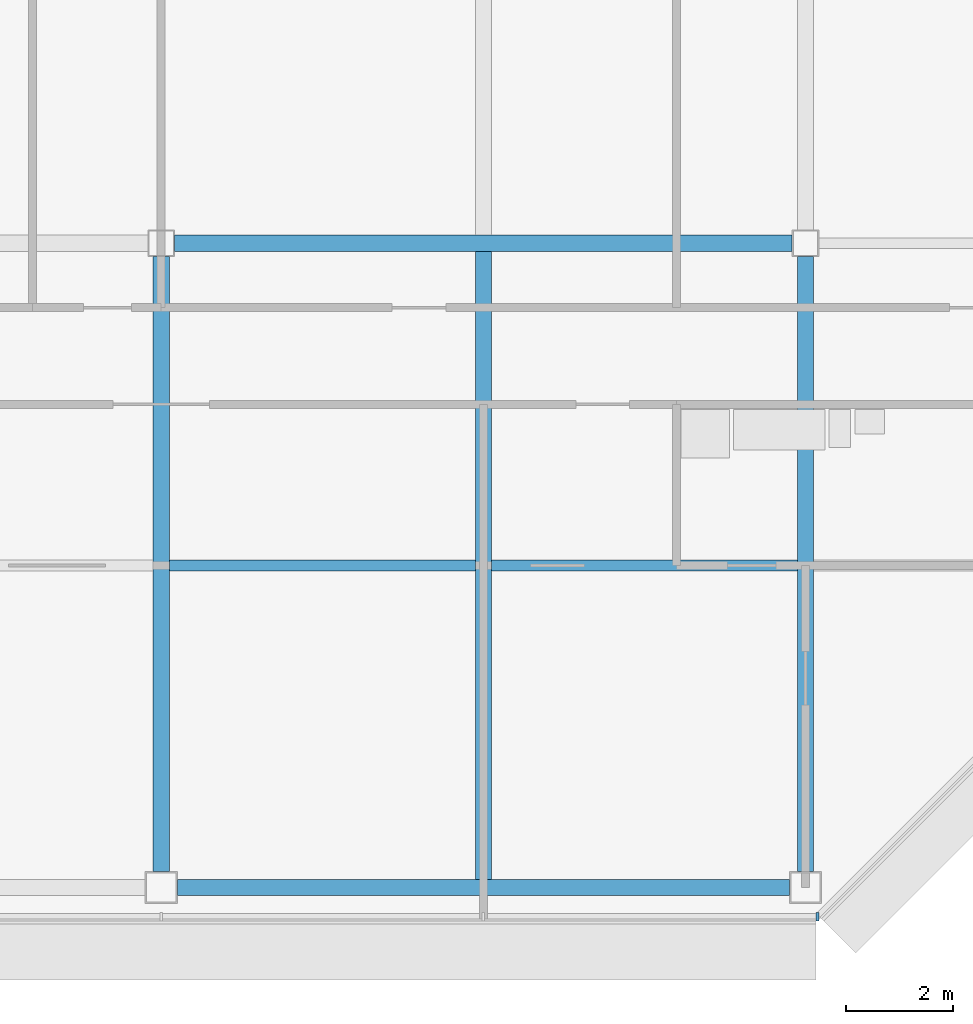
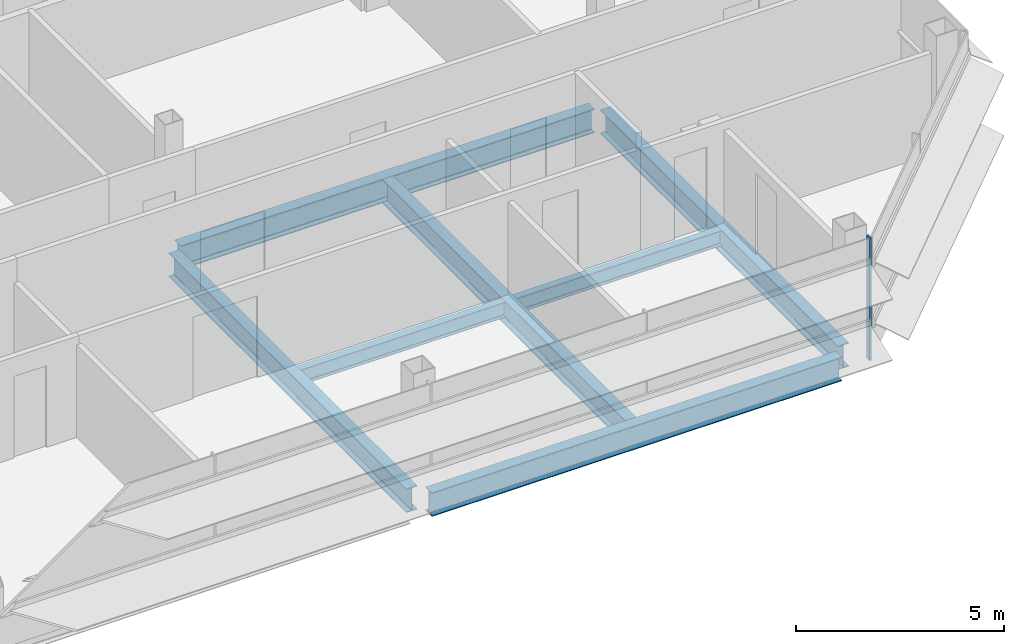
# One storey, part 10 of 28: 7 beams, 1 member, 1 element without a shape of its own.
"""IFC4 building model written with IfcOpenShell, lengths in metres."""

from ifc_helpers import new_model, si_unit, direction, frame, origin, origin_2d, place, context, subcontext, project, spatial, rectangle, i_section, extrude, material, material_profile, profile_set, type_object, element, aggregate, save


model = new_model("IFC4")

# Units and contexts
model_context = context("Model", 3, precision=1e-05, world=origin(), true_north=direction((0.0, 1.0)))
body_context = subcontext(model_context, "Body", "Model", "MODEL_VIEW")
ifc_project = project(units=[si_unit("LENGTHUNIT", "METRE"), si_unit("AREAUNIT", "SQUARE_METRE"), si_unit("VOLUMEUNIT", "CUBIC_METRE"), si_unit("PLANEANGLEUNIT", "RADIAN"), si_unit("MASSUNIT", "GRAM", prefix="KILO")], contexts=[model_context])

# Site, building, storey
site_placement = place(None, origin())
site = spatial("IfcSite", under=ifc_project, at=site_placement, CompositionType="ELEMENT")
building_placement = place(site_placement, origin())
building = spatial("IfcBuilding", under=site, at=building_placement, Name="Sorahane Residences", CompositionType="ELEMENT")
storey_placement = place(building_placement, frame((0.0, 0.0, 270.199951171875)))
storey = spatial("IfcBuildingStorey", under=building, at=storey_placement, Name="L64", CompositionType="ELEMENT", Elevation=270.199951171875)

# Curtain wall, member
ifc_material_1 = material(Name="Dark low-e glass and black anodised aluminium", Category="aluminium")
curtain_wall_type = type_object("IfcCurtainWallType", Name="Curtain wall CW-1 Typical unitised wall", PredefinedType="NOTDEFINED", material=ifc_material_1)
curtain_wall_placement = place(storey_placement, origin())
curtain_wall = element("IfcCurtainWall", 1, at=curtain_wall_placement, inside=storey, type_object=curtain_wall_type, Name="CW-1 curtain wall L64 S1", PredefinedType="NOTDEFINED")
ifc_material_2 = material(Name="Black anodised aluminium", Category="aluminium")
ifc_material_profile_1 = material_profile(ifc_material_2, rectangle(XDim=0.159912109375, YDim=0.050048828125, at=origin_2d()), Name="Curtain wall mullion CW-1 black anodised aluminium 50x160")
ifc_profile_set_1 = profile_set([ifc_material_profile_1], Name="Black anodised aluminium")
member_type = type_object("IfcMemberType", Name="Curtain wall mullion CW-1 black anodised aluminium 50x160", PredefinedType="MULLION", material=ifc_profile_set_1)
member_placement = place(storey_placement, frame((48.2236328125, -0.5400390625, -0.179931640625), z_axis=(0.0, 0.0, 1.0), x_axis=(0.0, -1.0, 0.0)))
member = element("IfcMember", 2, at=member_placement, type_object=member_type, Name="CW-1 mullion L64 S1.10", PredefinedType="MULLION", context=body_context, shape_type="SweptSolid", body=[
    extrude(rectangle(XDim=0.159912109375, YDim=0.050048828125, at=origin_2d()), origin(), (0.0, 0.0, 1.0), 3.60009765625),
])
aggregate(curtain_wall, [member])

# Beams
ifc_material_3 = material(Name="Steel Q355B", Category="steel")
ifc_material_profile_2 = material_profile(ifc_material_3, i_section(OverallWidth=0.199951171875, OverallDepth=0.449951171875, WebThickness=0.009033203125, FlangeThickness=0.013916015625, FilletRadius=0.02001953125, at=origin_2d()), Name="HN 450x200x9x14")
ifc_profile_set_2 = profile_set([ifc_material_profile_2], Name="Steel Q355B")
beam_type_1 = type_object("IfcBeamType", Name="Steel floor beam HN 450x200x9x14 Q355B", PredefinedType="BEAM", material=ifc_profile_set_2)
for number, where, z_axis, x_axis, name in (
    (3, (36.14990234375, 6.0, -0.405029296875), (1.0, 0.0, 0.0), (0.0, 1.0, 0.0), "Beam L64 075"),
    (4, (42.14990234375, 6.0, -0.405029296875), (1.0, 0.0, 0.0), (0.0, 1.0, 0.0), "Beam L64 076"),
):
    element("IfcBeam", number, at=place(storey_placement, frame(where, z_axis=z_axis, x_axis=x_axis)), inside=storey, type_object=beam_type_1, Name=name, PredefinedType="BEAM", context=body_context, shape_type="SweptSolid", body=[
        extrude(i_section(OverallWidth=0.199951171875, OverallDepth=0.449951171875, WebThickness=0.009033203125, FlangeThickness=0.013916015625, FilletRadius=0.02001953125, at=origin_2d()), origin(), (0.0, 0.0, 1.0), 5.7001953125),
    ])
ifc_material_4 = material(Name="Steel Q355B", Category="steel")
ifc_material_profile_3 = material_profile(ifc_material_4, i_section(OverallWidth=0.300048828125, OverallDepth=0.699951171875, WebThickness=0.012939453125, FlangeThickness=0.02392578125, FilletRadius=0.028076171875, at=origin_2d()), Name="HN 700x300x13x24")
ifc_profile_set_3 = profile_set([ifc_material_profile_3], Name="Steel Q355B")
beam_type_2 = type_object("IfcBeamType", Name="Steel floor beam HN 700x300x13x24 Q355B", PredefinedType="BEAM", material=ifc_profile_set_3)
beam_1_placement = place(storey_placement, frame((36.300048828125, 0.0, -0.530029296875), z_axis=(1.0, 0.0, 0.0), x_axis=(0.0, 1.0, 0.0)))
element("IfcBeam", 5, at=beam_1_placement, inside=storey, type_object=beam_type_2, Name="Beam L64 004", PredefinedType="BEAM", context=body_context, shape_type="SweptSolid", body=[
    extrude(i_section(OverallWidth=0.300048828125, OverallDepth=0.699951171875, WebThickness=0.012939453125, FlangeThickness=0.02392578125, FilletRadius=0.028076171875, at=origin_2d()), origin(), (0.0, 0.0, 1.0), 11.39990234375),
])
beam_2_placement = place(storey_placement, frame((36.25, 12.0, -0.530029296875), z_axis=(1.0, 0.0, 0.0), x_axis=(0.0, 1.0, 0.0)))
element("IfcBeam", 6, at=beam_2_placement, inside=storey, type_object=beam_type_2, Name="Beam L64 009", PredefinedType="BEAM", context=body_context, shape_type="SweptSolid", body=[
    extrude(i_section(OverallWidth=0.300048828125, OverallDepth=0.699951171875, WebThickness=0.012939453125, FlangeThickness=0.02392578125, FilletRadius=0.028076171875, at=origin_2d()), origin(), (0.0, 0.0, 1.0), 11.5),
])
beam_3_placement = place(storey_placement, frame((36.0, 0.300048828125, -0.530029296875), z_axis=(0.0, 1.0, 0.0), x_axis=(-1.0, 0.0, 0.0)))
element("IfcBeam", 7, at=beam_3_placement, inside=storey, type_object=beam_type_2, Name="Beam L64 050", PredefinedType="BEAM", context=body_context, shape_type="SweptSolid", body=[
    extrude(i_section(OverallWidth=0.300048828125, OverallDepth=0.699951171875, WebThickness=0.012939453125, FlangeThickness=0.02392578125, FilletRadius=0.028076171875, at=origin_2d()), origin(), (0.0, 0.0, 1.0), 11.449951171875),
])
beam_4_placement = place(storey_placement, frame((42.0, 0.14990234375, -0.530029296875), z_axis=(0.0, 1.0, 0.0), x_axis=(-1.0, 0.0, 0.0)))
element("IfcBeam", 8, at=beam_4_placement, inside=storey, type_object=beam_type_2, Name="Beam L64 052", PredefinedType="BEAM", context=body_context, shape_type="SweptSolid", body=[
    extrude(i_section(OverallWidth=0.300048828125, OverallDepth=0.699951171875, WebThickness=0.012939453125, FlangeThickness=0.02392578125, FilletRadius=0.028076171875, at=origin_2d()), origin(), (0.0, 0.0, 1.0), 11.7001953125),
])
beam_5_placement = place(storey_placement, frame((48.0, 0.300048828125, -0.530029296875), z_axis=(0.0, 1.0, 0.0), x_axis=(-1.0, 0.0, 0.0)))
element("IfcBeam", 9, at=beam_5_placement, inside=storey, type_object=beam_type_2, Name="Beam L64 058", PredefinedType="BEAM", context=body_context, shape_type="SweptSolid", body=[
    extrude(i_section(OverallWidth=0.300048828125, OverallDepth=0.699951171875, WebThickness=0.012939453125, FlangeThickness=0.02392578125, FilletRadius=0.028076171875, at=origin_2d()), origin(), (0.0, 0.0, 1.0), 11.449951171875),
])

save(model, "model.ifc")
